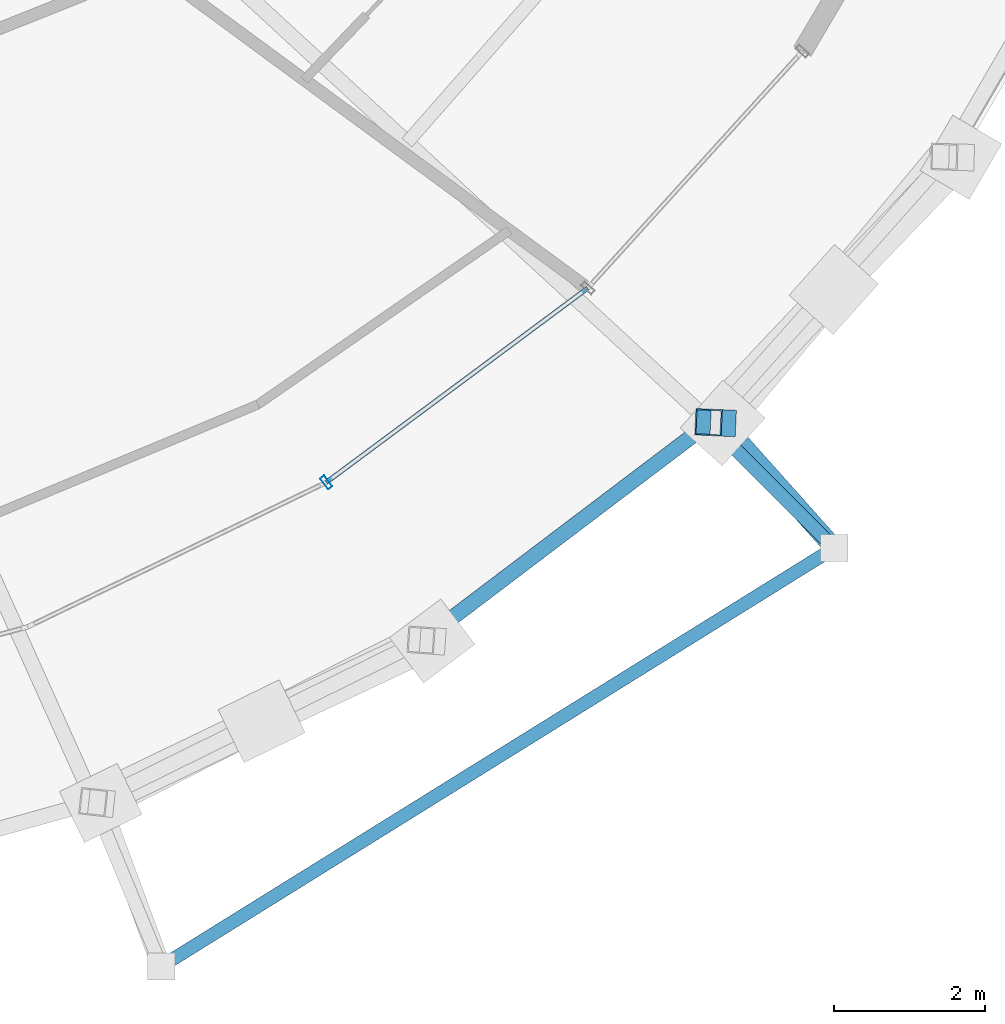
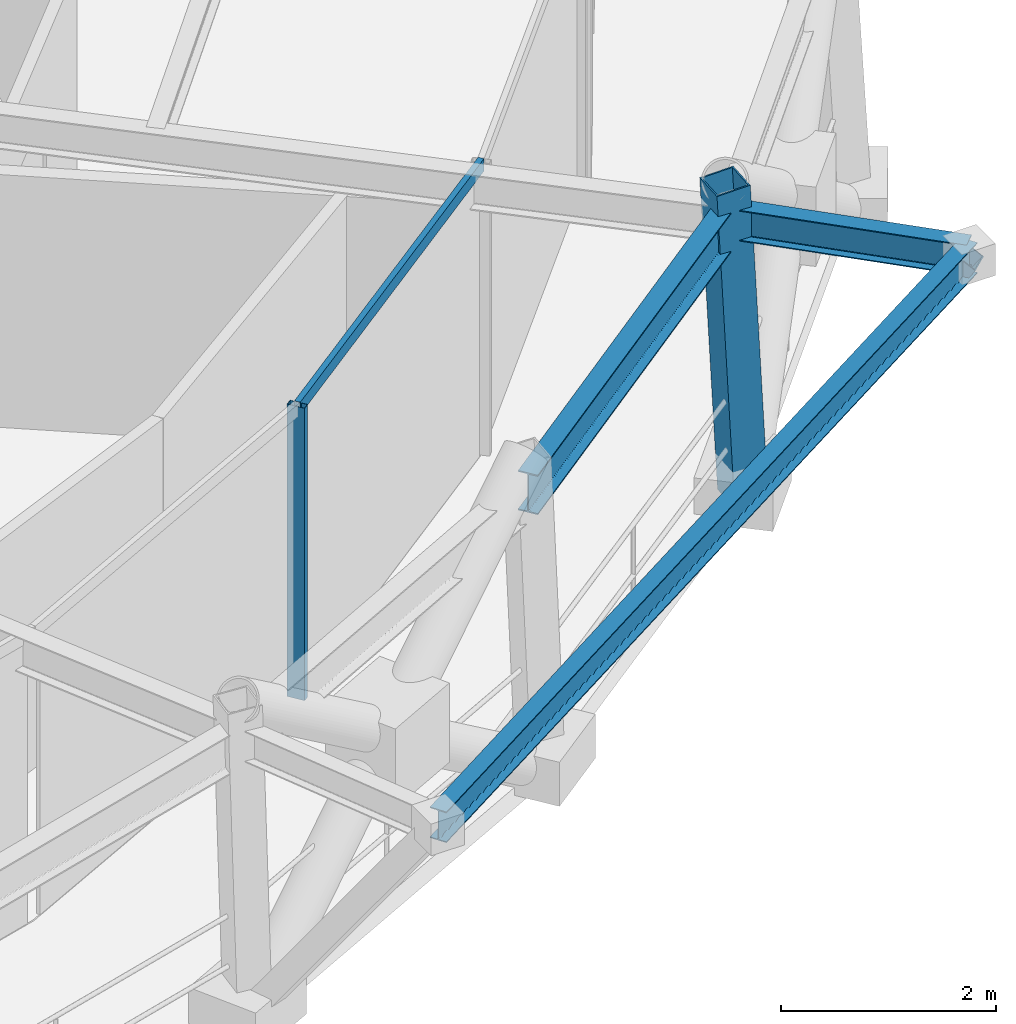
# One storey, part 4 of 18: 4 members, 3 beams, 1 element without a shape of its own.
"""IFC4 building model written with IfcOpenShell, lengths in metres."""

from ifc_helpers import new_model, si_unit, direction, frame, origin, origin_2d, place, context, subcontext, project, spatial, hollow_rectangle, i_section, extrude, material, layer, layer_set, material_profile, profile_set, type_object, element, aggregate, save


model = new_model("IFC4")

# Units and contexts
model_context = context("Model", 3, precision=1e-05, world=origin(), true_north=direction((0.0, 1.0)))
body_context = subcontext(model_context, "Body", "Model", "MODEL_VIEW")
ifc_project = project(units=[si_unit("LENGTHUNIT", "METRE"), si_unit("AREAUNIT", "SQUARE_METRE"), si_unit("VOLUMEUNIT", "CUBIC_METRE"), si_unit("PLANEANGLEUNIT", "RADIAN"), si_unit("MASSUNIT", "GRAM", prefix="KILO")], contexts=[model_context])

# Site, building, storey
site_placement = place(None, origin())
site = spatial("IfcSite", under=ifc_project, at=site_placement, CompositionType="ELEMENT")
building_placement = place(site_placement, origin())
building = spatial("IfcBuilding", under=site, at=building_placement, Name="Veldorina Hangang Commons", CompositionType="ELEMENT")
storey_placement = place(building_placement, frame((0.0, 0.0, 218.39990234375)))
storey = spatial("IfcBuildingStorey", under=building, at=storey_placement, Name="L56", CompositionType="ELEMENT", Elevation=218.39990234375)

# Beams
ifc_material_1 = material(Name="Steel SM355-TMC", Category="steel")
ifc_material_profile_1 = material_profile(ifc_material_1, i_section(OverallWidth=0.175048828125, OverallDepth=0.35009765625, WebThickness=0.007080078125, FlangeThickness=0.010986328125, FilletRadius=0.012939453125, at=origin_2d()), Name="H-350x175x7x11")
ifc_profile_set_1 = profile_set([ifc_material_profile_1], Name="Steel SM355-TMC")
beam_type_1 = type_object("IfcBeamType", Name="BM-FG350", PredefinedType="BEAM", material=ifc_profile_set_1)
beam_1_placement = place(storey_placement, frame((49.72412109375, 7.627197265625, 3.18505859375), z_axis=(0.707106781187, -0.707106781187, 0.0), x_axis=(0.707106781187, 0.707106781187, 0.0)))
element("IfcBeam", 1, at=beam_1_placement, inside=storey, type_object=beam_type_1, Name="L57 tree balcony 1 bracket beam B", PredefinedType="BEAM", context=body_context, shape_type="SweptSolid", body=[
    extrude(i_section(OverallWidth=0.175048828125, OverallDepth=0.35009765625, WebThickness=0.007080078125, FlangeThickness=0.010986328125, FilletRadius=0.012939453125, at=origin_2d()), origin(), (0.0, 0.0, 1.0), 2.349853515625),
])
beam_2_placement = place(storey_placement, frame((42.491455078125, 0.43701171875, 3.18505859375), z_axis=(0.849298885091, 0.527912306906, 0.0), x_axis=(-0.527912306906, 0.849298885091, 0.0)))
element("IfcBeam", 2, at=beam_2_placement, inside=storey, type_object=beam_type_1, Name="L57 tree balcony 1 outer rim beam", PredefinedType="BEAM", context=body_context, shape_type="SweptSolid", body=[
    extrude(i_section(OverallWidth=0.175048828125, OverallDepth=0.35009765625, WebThickness=0.007080078125, FlangeThickness=0.010986328125, FilletRadius=0.012939453125, at=origin_2d()), origin(), (0.0, 0.0, 1.0), 10.472412109375),
])
ifc_material_profile_2 = material_profile(ifc_material_1, i_section(OverallWidth=0.199951171875, OverallDepth=0.449951171875, WebThickness=0.009033203125, FlangeThickness=0.013916015625, FilletRadius=0.01611328125, at=origin_2d()), Name="H-450x200x9x14")
ifc_profile_set_2 = profile_set([ifc_material_profile_2], Name="Steel SM355-TMC")
beam_type_2 = type_object("IfcBeamType", Name="BM-RB450", PredefinedType="BEAM", material=ifc_profile_set_2)
beam_3_placement = place(storey_placement, frame((45.944580078125, 4.746337890625, 3.135009765625), z_axis=(0.79724663066, 0.603653716879, 0.0), x_axis=(-0.603653716879, 0.79724663066, 0.0)))
element("IfcBeam", 3, at=beam_3_placement, inside=storey, type_object=beam_type_2, Name="L56 perimeter hoop ring beam 27", PredefinedType="BEAM", context=body_context, shape_type="SweptSolid", body=[
    extrude(i_section(OverallWidth=0.199951171875, OverallDepth=0.449951171875, WebThickness=0.009033203125, FlangeThickness=0.013916015625, FilletRadius=0.01611328125, at=origin_2d()), origin(), (0.0, 0.0, 1.0), 4.770751953125),
])

# Curtain wall, members
ifc_material_2 = material(Name="Glass Low-E Selective", Category="glass")
ifc_layer = layer(ifc_material_2, 0.179931640625)
ifc_layer_set = layer_set([ifc_layer], Name="Glass Low-E Selective")
curtain_wall_type = type_object("IfcCurtainWallType", Name="CW-SYS-Z3", PredefinedType="NOTDEFINED", material=ifc_layer_set)
curtain_wall_placement = place(storey_placement, origin())
curtain_wall = element("IfcCurtainWall", 4, at=curtain_wall_placement, inside=storey, type_object=curtain_wall_type, Name="L56 unitised curtain wall CW-L56-R1", PredefinedType="NOTDEFINED")
ifc_material_3 = material(Name="Aluminium Anodized AA6063-T6", Category="aluminium")
ifc_material_profile_3 = material_profile(ifc_material_3, hollow_rectangle(XDim=0.070068359375, YDim=0.179931640625, WallThickness=0.00390625, at=origin_2d()), Name="ALU-RHS-180x70x4")
ifc_profile_set_3 = profile_set([ifc_material_profile_3], Name="Aluminium Anodized AA6063-T6")
member_type_1 = type_object("IfcMemberType", Name="CW-MUL-180", PredefinedType="MULLION", material=ifc_profile_set_3)
member_1_placement = place(storey_placement, frame((44.671875, 6.8330078125, 0.0), z_axis=(0.0, 0.0, 1.0), x_axis=(0.802734218669, 0.596336963619, 0.0)))
member_1 = element("IfcMember", 5, at=member_1_placement, type_object=member_type_1, Name="CW-L56-R1 vertical mullion 2", PredefinedType="MULLION", context=body_context, shape_type="SweptSolid", body=[
    extrude(hollow_rectangle(XDim=0.070068359375, YDim=0.179931640625, WallThickness=0.00390625, at=origin_2d()), origin(), (0.0, 0.0, 1.0), 3.320068359375),
])
ifc_material_profile_4 = material_profile(ifc_material_3, hollow_rectangle(XDim=0.06005859375, YDim=0.139892578125, WallThickness=0.00341796875, at=origin_2d()), Name="ALU-RHS-140x60x3.5")
ifc_profile_set_4 = profile_set([ifc_material_profile_4], Name="Aluminium Anodized AA6063-T6")
member_type_2 = type_object("IfcMemberType", Name="CW-TRN-140", PredefinedType="USERDEFINED", material=ifc_profile_set_4)
member_2_placement = place(storey_placement, frame((44.671875, 6.8330078125, 3.280029296875), z_axis=(0.802733766114, 0.596337572806, 0.0), x_axis=(-0.596337572806, 0.802733766114, 0.0)))
member_2 = element("IfcMember", 6, at=member_2_placement, type_object=member_type_2, Name="CW-L56-R1 facet 3 transom 1", ObjectType="TRANSOM", PredefinedType="USERDEFINED", context=body_context, shape_type="SweptSolid", body=[
    extrude(hollow_rectangle(XDim=0.06005859375, YDim=0.139892578125, WallThickness=0.00341796875, at=origin_2d()), origin(), (0.0, 0.0, 1.0), 4.3056640625),
])
aggregate(curtain_wall, [member_1, member_2])

# Members
ifc_material_profile_5 = material_profile(ifc_material_1, hollow_rectangle(XDim=0.25, YDim=0.25, WallThickness=0.011962890625, at=origin_2d()), Name="SHS-250x250x12")
ifc_profile_set_5 = profile_set([ifc_material_profile_5], Name="Steel SM355-TMC")
member_type_3 = type_object("IfcMemberType", Name="STR-SHS250", PredefinedType="STRUT", material=ifc_profile_set_5)
member_3_placement = place(storey_placement, frame((49.91015625, 7.61865234375, 0.0), z_axis=(0.380302964437, -0.426047546691, 0.820885584719), x_axis=(0.746021716989, 0.665921615342, 0.0)))
element("IfcMember", 7, at=member_3_placement, inside=storey, type_object=member_type_3, Name="L57 tree balcony 1 raking knee strut B", PredefinedType="STRUT", context=body_context, shape_type="SweptSolid", body=[
    extrude(hollow_rectangle(XDim=0.25, YDim=0.25, WallThickness=0.011962890625, at=origin_2d()), origin(), (0.0, 0.0, 1.0), 3.880126953125),
])
ifc_material_profile_6 = material_profile(ifc_material_1, hollow_rectangle(XDim=0.35009765625, YDim=0.35009765625, WallThickness=0.01611328125, at=origin_2d()), Name="SHS-350x350x16")
ifc_profile_set_6 = profile_set([ifc_material_profile_6], Name="Steel SM355-TMC")
member_type_4 = type_object("IfcMemberType", Name="STR-SHS350", PredefinedType="STRUT", material=ifc_profile_set_6)
member_4_placement = place(storey_placement, frame((49.91015625, 7.61865234375, 0.0), z_axis=(-0.051606029266, 0.002370355675, 0.998664708076), x_axis=(-0.045883383338, -0.998946802955, 0.0)))
element("IfcMember", 8, at=member_4_placement, inside=storey, type_object=member_type_4, Name="L56 perimeter ring node post 28", PredefinedType="STRUT", context=body_context, shape_type="SweptSolid", body=[
    extrude(hollow_rectangle(XDim=0.35009765625, YDim=0.35009765625, WallThickness=0.01611328125, at=origin_2d()), origin(), (0.0, 0.0, 1.0), 3.60498046875),
])

save(model, "model.ifc")
